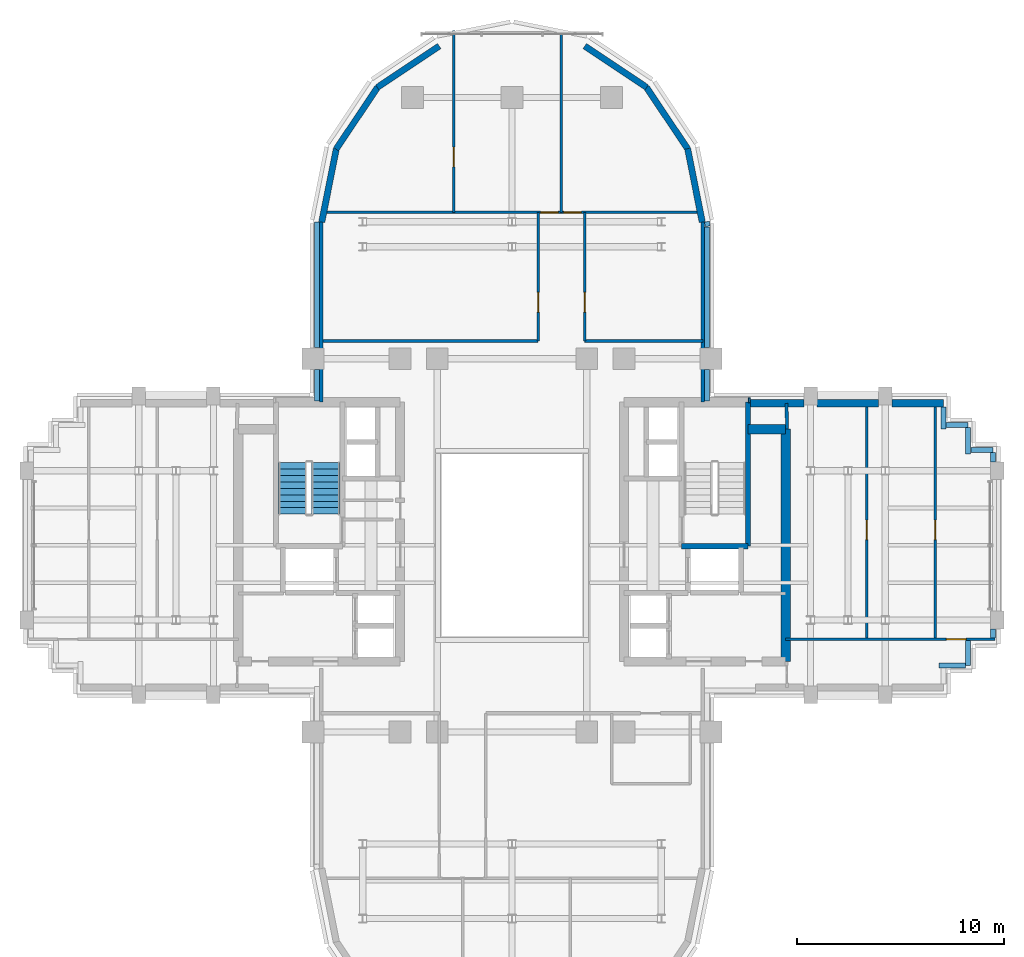
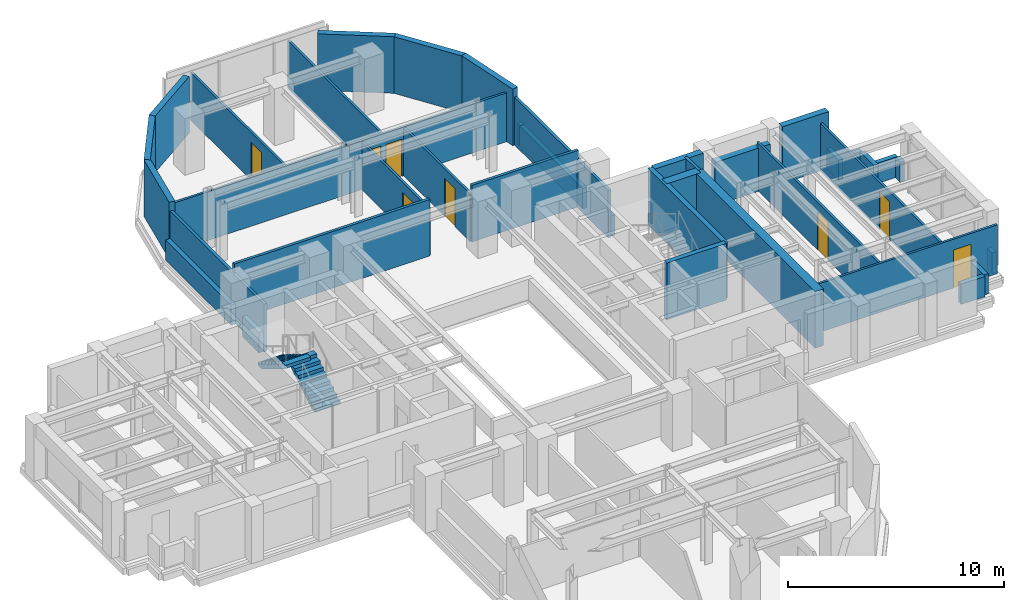
# One storey, part 10 of 14: 40 walls, 8 doors, 2 stair flights, 8 openings, 1 element without a shape of its own.
"""IFC4 building model written with IfcOpenShell, lengths in metres."""

import ifcopenshell
import ifcopenshell.guid

model = None  # the IFC model being written
_history = None  # IfcOwnerHistory: only IFC2X3 demands one
_inside = {}  # id of a spatial element -> (the spatial element, [elements in it])
_under = {}  # id of a project, library or spatial element -> (it, [spatial elements below it])
_declared = {}  # id of a project -> (the project, [libraries it declares])
_typed = {}  # id of a type object -> (the type object, [elements of that type])
_made_of = {}  # id of a material, layer set ... -> (it, [elements and type objects made of it])


def new_model(schema):
    """Start an empty IFC model of exactly this schema.

    Asked for "IFC4X3", IfcOpenShell would pick the latest addendum, in which some entities
    have other attributes; the version numbers below select the first issue.
    IFC2X3 requires an IfcOwnerHistory on every rooted entity: one is made here for all.
    """
    global model, _history
    if schema == "IFC4X3":
        model = ifcopenshell.file(schema_version=(4, 3, 0, 0))
    else:
        model = ifcopenshell.file(schema=schema)
    _inside.clear()
    _under.clear()
    _declared.clear()
    _typed.clear()
    _made_of.clear()
    _history = None
    if model.schema == "IFC2X3":
        org = make("IfcOrganization", Name="unknown")
        user = make(
            "IfcPersonAndOrganization",
            ThePerson=make("IfcPerson", FamilyName="unknown"),
            TheOrganization=org,
        )
        app = make(
            "IfcApplication",
            ApplicationDeveloper=org,
            Version="unknown",
            ApplicationFullName="unknown",
            ApplicationIdentifier="unknown",
        )
        _history = make(
            "IfcOwnerHistory",
            OwningUser=user,
            OwningApplication=app,
            ChangeAction="ADDED",
            CreationDate=0,
        )
    return model


def make(cls, **values):
    """One entity of the class cls with the attributes given. An attribute that is None is left unset."""
    return model.create_entity(
        cls, **{name: value for name, value in values.items() if value is not None}
    )


def rooted(cls, **values):
    """An entity with a GlobalId (a new one), such as an element, a storey or a relation."""
    return make(cls, GlobalId=ifcopenshell.guid.new(), OwnerHistory=_history, **values)


def si_unit(unit_type, name, prefix=None):
    """IfcSIUnit, for example si_unit("LENGTHUNIT", "METRE", prefix="MILLI")."""
    return make("IfcSIUnit", UnitType=unit_type, Prefix=prefix, Name=name)


def assignment(units):
    """IfcUnitAssignment: the units of a project."""
    return None if units is None else make("IfcUnitAssignment", Units=units)


def point(xyz):
    """IfcCartesianPoint."""
    return None if xyz is None else make("IfcCartesianPoint", Coordinates=xyz)


def direction(xyz):
    """IfcDirection."""
    return None if xyz is None else make("IfcDirection", DirectionRatios=xyz)


def frame(location, z_axis=None, x_axis=None):
    """IfcAxis2Placement3D, a coordinate frame: its origin and axes. An axis left out is left unset."""
    return make(
        "IfcAxis2Placement3D",
        Location=point(location),
        Axis=direction(z_axis),
        RefDirection=direction(x_axis),
    )


def frame_2d(location, x_axis=None):
    """IfcAxis2Placement2D, a coordinate frame in the plane: its origin and x axis."""
    return make(
        "IfcAxis2Placement2D", Location=point(location), RefDirection=direction(x_axis)
    )


def origin():
    """The frame at (0, 0, 0) with its axes left unset."""
    return frame((0.0, 0.0, 0.0))


def place(relative_to, where):
    """IfcLocalPlacement: puts the frame where relative to a parent placement (None: the world)."""
    return make(
        "IfcLocalPlacement", PlacementRelTo=relative_to, RelativePlacement=where
    )


def context(
    kind, dimensions, precision=None, world=None, true_north=None, identifier=None
):
    """IfcGeometricRepresentationContext, for example the 3D "Model" context."""
    return make(
        "IfcGeometricRepresentationContext",
        ContextIdentifier=identifier,
        ContextType=kind,
        CoordinateSpaceDimension=dimensions,
        Precision=precision,
        WorldCoordinateSystem=world,
        TrueNorth=true_north,
    )


def subcontext(parent, identifier, kind, view, scale=None):
    """IfcGeometricRepresentationSubContext, for example "Body" below "Model"."""
    return make(
        "IfcGeometricRepresentationSubContext",
        ContextIdentifier=identifier,
        ContextType=kind,
        ParentContext=parent,
        TargetScale=scale,
        TargetView=view,
    )


def project(units=None, contexts=None):
    """IfcProject with its units and contexts."""
    return rooted(
        "IfcProject",
        Name="project",
        RepresentationContexts=contexts,
        UnitsInContext=assignment(units),
    )


def spatial(cls, under=None, at=None, **own):
    """A site, building, storey or space (cls), placed at a placement, below another one or the project."""
    s = rooted(cls, ObjectPlacement=at, **own)
    if under is not None:
        _under.setdefault(under.id(), (under, []))[1].append(s)
    return s


def polyline(points):
    """IfcPolyline through the points."""
    return make("IfcPolyline", Points=[point(p) for p in points])


def profile(cls, at=None, kind="AREA", **sizes):
    """A parametric profile (cls). Its sizes go by their IFC names, for example OverallWidth=200.0."""
    return make(cls, ProfileType=kind, Position=at, **sizes)


def rectangle(**sizes):
    """IfcRectangleProfileDef."""
    return profile("IfcRectangleProfileDef", **sizes)


def outline(outer, holes=None, kind="AREA"):
    """IfcArbitraryClosedProfileDef: a profile drawn as a closed curve; with holes, ...WithVoids."""
    if holes is None:
        return make("IfcArbitraryClosedProfileDef", ProfileType=kind, OuterCurve=outer)
    return make(
        "IfcArbitraryProfileDefWithVoids",
        ProfileType=kind,
        OuterCurve=outer,
        InnerCurves=holes,
    )


def extrude(swept, where, along, depth):
    """IfcExtrudedAreaSolid: the profile swept, set in the frame where, extruded along a direction by depth."""
    return make(
        "IfcExtrudedAreaSolid",
        SweptArea=swept,
        Position=where,
        ExtrudedDirection=direction(along),
        Depth=depth,
    )


def shape(context_of_items, identifier, shape_type, items):
    """IfcShapeRepresentation: the items that make up one representation, for example the "Body"."""
    return make(
        "IfcShapeRepresentation",
        ContextOfItems=context_of_items,
        RepresentationIdentifier=identifier,
        RepresentationType=shape_type,
        Items=items,
    )


def source(mapping_origin, context_of_items, identifier, shape_type, items):
    """IfcRepresentationMap: a shape defined once, which mapped items show again and again."""
    return make(
        "IfcRepresentationMap",
        MappingOrigin=mapping_origin,
        MappedRepresentation=shape(context_of_items, identifier, shape_type, items),
    )


def transform(
    local_origin,
    x_axis=None,
    y_axis=None,
    z_axis=None,
    scale=None,
    scale2=None,
    scale3=None,
    uniform=True,
):
    """IfcCartesianTransformationOperator3D, or its non-uniform kind. x_axis, y_axis, z_axis: its Axis1, 2, 3."""
    if uniform:
        return make(
            "IfcCartesianTransformationOperator3D",
            Axis1=direction(x_axis),
            Axis2=direction(y_axis),
            LocalOrigin=point(local_origin),
            Scale=scale,
            Axis3=direction(z_axis),
        )
    return make(
        "IfcCartesianTransformationOperator3DnonUniform",
        Axis1=direction(x_axis),
        Axis2=direction(y_axis),
        LocalOrigin=point(local_origin),
        Scale=scale,
        Axis3=direction(z_axis),
        Scale2=scale2,
        Scale3=scale3,
    )


def mapped(mapping_source, mapping_target):
    """IfcMappedItem: shows the shape of a source again, moved by a transform."""
    return make(
        "IfcMappedItem", MappingSource=mapping_source, MappingTarget=mapping_target
    )


def material(Name=None, Category=None):
    """IfcMaterial."""
    return make("IfcMaterial", Name=Name, Category=Category)


def layer(
    of_material, thickness, ventilated=None, Name=None, Category=None, Priority=None
):
    """IfcMaterialLayer: one layer of a wall or slab, of a material (None: an air gap)."""
    return make(
        "IfcMaterialLayer",
        Material=of_material,
        LayerThickness=thickness,
        IsVentilated=ventilated,
        Name=Name,
        Category=Category,
        Priority=Priority,
    )


def layer_set(layers, Name=None):
    """IfcMaterialLayerSet."""
    return make("IfcMaterialLayerSet", MaterialLayers=layers, LayerSetName=Name)


def made_of(thing, what):
    """Note that an element or type object is made of a material, layer set ...; save() writes the relation."""
    if what is not None:
        _made_of.setdefault(what.id(), (what, []))[1].append(thing)
    return thing


def type_object(cls, material=None, **own):
    """A type object (cls), such as IfcWallType, which elements share."""
    return made_of(rooted(cls, **own), material)


def element(
    cls,
    number,
    at=None,
    inside=None,
    cuts=None,
    type_object=None,
    material=None,
    context=None,
    identifier="Body",
    shape_type=None,
    held_by="IfcProductDefinitionShape",
    body=None,
    shapes=None,
    **own,
):
    """One element of the class cls, such as IfcWall. Its Tag is "e" and its number.

    at: its placement. inside: the storey or other place that contains it. cuts: it is an
    opening in that element (IfcRelVoidsElement). A single representation is given by context,
    identifier, shape_type and body (its items); several are given by shapes. held_by: the class
    of the entity that holds the representations. save() writes the other relations.
    """
    e = rooted(cls, Tag="e%d" % number, ObjectPlacement=at, **own)
    if body is not None:
        shapes = [shape(context, identifier, shape_type, body)]
    if shapes is not None:
        e.Representation = make(held_by, Representations=shapes)
    if inside is not None:
        _inside.setdefault(inside.id(), (inside, []))[1].append(e)
    if cuts is not None:
        rooted(
            "IfcRelVoidsElement", RelatingBuildingElement=cuts, RelatedOpeningElement=e
        )
    if type_object is not None:
        _typed.setdefault(type_object.id(), (type_object, []))[1].append(e)
    return made_of(e, material)


def fill(opening, filler):
    """IfcRelFillsElement: the door or window that sits in an opening."""
    return rooted(
        "IfcRelFillsElement",
        RelatingOpeningElement=opening,
        RelatedBuildingElement=filler,
    )


def aggregate(whole, parts):
    """IfcRelAggregates: a whole, such as a stair, and the parts it consists of."""
    return rooted("IfcRelAggregates", RelatingObject=whole, RelatedObjects=parts)


def save(model, path):
    """Write the relations noted so far, then the file.

    IfcRelAggregates (storeys below a building ...), IfcRelContainedInSpatialStructure (elements
    in a storey), IfcRelDefinesByType, IfcRelAssociatesMaterial and IfcRelDeclares: one each for
    every whole, place, type object, material and project.
    """
    for whole, parts in _under.values():
        aggregate(whole, parts)
    for where, things in _inside.values():
        rooted(
            "IfcRelContainedInSpatialStructure",
            RelatedElements=things,
            RelatingStructure=where,
        )
    for kind, things in _typed.values():
        rooted("IfcRelDefinesByType", RelatedObjects=things, RelatingType=kind)
    for what, things in _made_of.values():
        rooted("IfcRelAssociatesMaterial", RelatedObjects=things, RelatingMaterial=what)
    for by, libraries in _declared.values():
        rooted("IfcRelDeclares", RelatingContext=by, RelatedDefinitions=libraries)
    model.write(path)


model = new_model("IFC4")

# Units and contexts
model_context = context("Model", 3, precision=1e-05, world=origin(), true_north=direction((0.0, 1.0)))
body_context = subcontext(model_context, "Body", "Model", "MODEL_VIEW")
ifc_project = project(units=[si_unit("LENGTHUNIT", "METRE"), si_unit("AREAUNIT", "SQUARE_METRE"), si_unit("VOLUMEUNIT", "CUBIC_METRE"), si_unit("PLANEANGLEUNIT", "RADIAN"), si_unit("MASSUNIT", "GRAM", prefix="KILO")], contexts=[model_context])

# Site, building, storey
site_placement = place(None, origin())
site = spatial("IfcSite", under=ifc_project, at=site_placement, CompositionType="ELEMENT")
building_placement = place(site_placement, origin())
building = spatial("IfcBuilding", under=site, at=building_placement, Name="Keilestroom Media Tower", CompositionType="ELEMENT")
storey_placement = place(building_placement, frame((0.0, 0.0, 117.60009765625)))
storey = spatial("IfcBuildingStorey", under=building, at=storey_placement, Name="L31", CompositionType="ELEMENT", Elevation=117.60009765625)

# Walls
ifc_material_1 = material(Name="Precast concrete C40/50", Category="concrete")
ifc_layer_1 = layer(ifc_material_1, 0.300048828125)
ifc_layer_set_1 = layer_set([ifc_layer_1], Name="Precast concrete C40/50")
wall_type_1 = type_object("IfcWallType", Name="Exterior-Masonry-Spandrel-Wall-300", PredefinedType="SOLIDWALL", material=ifc_layer_set_1)
for number, where, z_axis, x_axis, name in (
    (1, (9.1748046875, 15.585205078125, 0.0), (0.0, 0.0, 1.0), (-0.195114232679, 0.980780523974, 0.0), "L31 Lobe Facet Precast Frame Wall 01"),
    (2, (8.48193359375, 19.097412109375, 0.0), (0.0, 0.0, 1.0), (-0.555574187116, 0.831466970246, 0.0), "L31 Lobe Facet Precast Frame Wall 02"),
):
    element("IfcWall", number, at=place(storey_placement, frame(where, z_axis=z_axis, x_axis=x_axis)), inside=storey, type_object=wall_type_1, Name=name, PredefinedType="SOLIDWALL", context=body_context, shape_type="SweptSolid", body=[
        extrude(rectangle(XDim=3.608642578125, YDim=0.300048828125, at=frame_2d((1.80419921875, 0.0))), origin(), (0.0, 0.0, 1.0), 3.199951171875),
    ])
for number, where, z_axis, x_axis, name in (
    (3, (6.497802734375, 22.0771484375, 0.0), (0.0, 0.0, 1.0), (-0.8314749531, 0.555562239868, 0.0), "L31 Lobe Facet Precast Frame Wall 03"),
    (4, (-3.510009765625, 24.073486328125, 0.0), (0.0, 0.0, 1.0), (-0.8314749531, -0.555562239868, 0.0), "L31 Lobe Facet Precast Frame Wall 04"),
):
    element("IfcWall", number, at=place(storey_placement, frame(where, z_axis=z_axis, x_axis=x_axis)), inside=storey, type_object=wall_type_1, Name=name, PredefinedType="SOLIDWALL", context=body_context, shape_type="SweptSolid", body=[
        extrude(rectangle(XDim=3.59326171875, YDim=0.300048828125, at=frame_2d((1.796630859375, 0.0))), origin(), (0.0, 0.0, 1.0), 3.199951171875),
    ])
for number, where, z_axis, x_axis, name in (
    (5, (-6.47705078125, 22.097900390625, 0.0), (0.0, 0.0, 1.0), (-0.555574187116, -0.831466970246, 0.0), "L31 Lobe Facet Precast Frame Wall 05"),
    (6, (-8.470703125, 19.12451171875, 0.0), (0.0, 0.0, 1.0), (-0.195114232679, -0.980780523974, 0.0), "L31 Lobe Facet Precast Frame Wall 06"),
):
    element("IfcWall", number, at=place(storey_placement, frame(where, z_axis=z_axis, x_axis=x_axis)), inside=storey, type_object=wall_type_1, Name=name, PredefinedType="SOLIDWALL", context=body_context, shape_type="SweptSolid", body=[
        extrude(rectangle(XDim=3.608642578125, YDim=0.300048828125, at=frame_2d((1.80419921875, 0.0))), origin(), (0.0, 0.0, 1.0), 3.199951171875),
    ])
ifc_layer_2 = layer(ifc_material_1, 0.340087890625)
ifc_layer_set_2 = layer_set([ifc_layer_2], Name="Precast concrete C40/50")
wall_type_2 = type_object("IfcWallType", Name="Exterior-Masonry-Spandrel-Wall-340", PredefinedType="SOLIDWALL", material=ifc_layer_set_2)
wall_1_placement = place(storey_placement, frame((11.498046875, 6.85009765625, 0.0), z_axis=(0.0, 0.0, 1.0), x_axis=(1.0, 0.0, 0.0)))
element("IfcWall", 7, at=wall_1_placement, inside=storey, type_object=wall_type_2, Name="L31 Flank Masonry Wall EWL-L31-NE-1", PredefinedType="SOLIDWALL", context=body_context, shape_type="SweptSolid", body=[
    extrude(rectangle(XDim=2.5849609375, YDim=0.340087890625, at=frame_2d((1.29248046875, 0.0))), origin(), (0.0, 0.0, 1.0), 3.199951171875),
])
wall_2_placement = place(storey_placement, frame((14.717041015625, 6.85009765625, 0.0), z_axis=(0.0, 0.0, 1.0), x_axis=(1.0, 0.0, 0.0)))
element("IfcWall", 8, at=wall_2_placement, inside=storey, type_object=wall_type_2, Name="L31 Flank Masonry Wall EWL-L31-NE-2", PredefinedType="SOLIDWALL", context=body_context, shape_type="SweptSolid", body=[
    extrude(rectangle(XDim=2.966064453125, YDim=0.340087890625, at=frame_2d((1.48291015625, 0.0))), origin(), (0.0, 0.0, 1.0), 2.449951171875),
])
wall_3_placement = place(storey_placement, frame((18.31689453125, 6.85009765625, 0.0), z_axis=(0.0, 0.0, 1.0), x_axis=(1.0, 0.0, 0.0)))
element("IfcWall", 9, at=wall_3_placement, inside=storey, type_object=wall_type_2, Name="L31 Flank Masonry Wall EWL-L31-NE-3", PredefinedType="SOLIDWALL", context=body_context, shape_type="SweptSolid", body=[
    extrude(rectangle(XDim=2.483154296875, YDim=0.340087890625, at=frame_2d((1.24169921875, 0.0))), origin(), (0.0, 0.0, 1.0), 3.199951171875),
])

# Wall, opening, door
ifc_material_2 = material(Name="Gypsum Plasterboard & Steel Stud", Category="steel")
ifc_layer_3 = layer(ifc_material_2, 0.1201171875)
ifc_layer_set_3 = layer_set([ifc_layer_3], Name="Gypsum Plasterboard & Steel Stud")
wall_type_3 = type_object("IfcWallType", Name="Interior-Partition-Wall-120", PredefinedType="PARTITIONING", material=ifc_layer_set_3)
wall_4_placement = place(storey_placement, frame((1.260009765625, 9.85009765625, 0.0), z_axis=(0.0, 0.0, 1.0), x_axis=(0.0, 1.0, 0.0)))
wall_4 = element("IfcWall", 10, at=wall_4_placement, inside=storey, type_object=wall_type_3, Name="L31 Interior Wall WP-L31-NL-SPW", PredefinedType="PARTITIONING", context=body_context, shape_type="SweptSolid", body=[
    extrude(rectangle(XDim=6.199951171875, YDim=0.1201171875, at=frame_2d((3.10009765625, 0.0))), origin(), (0.0, 0.0, 1.0), 2.699951171875),
])
opening_1_placement = place(wall_4_placement, frame((1.39990234375, 0.0, 0.0)))
opening_1 = element("IfcOpeningElement", 11, at=opening_1_placement, cuts=wall_4, Name="Opening DI-03", PredefinedType="OPENING", context=body_context, shape_type="SweptSolid", body=[
    extrude(rectangle(XDim=0.949951171875, YDim=2.14990234375, at=frame_2d((0.47509765625, 1.074951171875))), frame((0.0, 0.070068359375, 0.0), z_axis=(0.0, -1.0, 0.0), x_axis=(1.0, 0.0, 0.0)), (0.0, 0.0, 1.0), 0.14013671875),
])
ifc_material_3 = material(Name="Lacquered European Oak Leaf", Category="wood")
door_type_1 = type_object("IfcDoorType", Name="Interior-Room-And-Suite-Door-DI-03", OperationType="NOTDEFINED", PredefinedType="DOOR", material=ifc_material_3)
shared_shape_1 = source(origin(), body_context, "Body", "SweptSolid", [
    extrude(rectangle(XDim=0.949951171875, YDim=2.14990234375, at=frame_2d((0.47509765625, 1.074951171875))), frame((0.0, 0.02490234375, 0.0), z_axis=(0.0, -1.0, 0.0), x_axis=(1.0, 0.0, 0.0)), (0.0, 0.0, 1.0), 0.050048828125),
])
door_1_placement = place(opening_1_placement, origin())
door_1 = element("IfcDoor", 12, at=door_1_placement, inside=storey, type_object=door_type_1, Name="L31 Interior Door DI-L31-DNL-W1", OperationType="SINGLE_SWING_RIGHT", OverallHeight=2.14990234375, OverallWidth=0.949951171875, PredefinedType="DOOR", context=body_context, shape_type="MappedRepresentation", body=[
    mapped(shared_shape_1, transform((0.0, 0.0, 0.0), x_axis=(1.0, 0.0, 0.0), y_axis=(0.0, 1.0, 0.0), z_axis=(0.0, 0.0, 1.0), scale=1.0)),
])
fill(opening_1, door_1)

wall_5_placement = place(storey_placement, frame((3.5, 9.85009765625, 0.0), z_axis=(0.0, 0.0, 1.0), x_axis=(0.0, 1.0, 0.0)))
wall_5 = element("IfcWall", 13, at=wall_5_placement, inside=storey, type_object=wall_type_3, Name="L31 Interior Wall WP-L31-NL-SPE", PredefinedType="PARTITIONING", context=body_context, shape_type="SweptSolid", body=[
    extrude(rectangle(XDim=6.199951171875, YDim=0.1201171875, at=frame_2d((3.10009765625, 0.0))), origin(), (0.0, 0.0, 1.0), 2.699951171875),
])
opening_2_placement = place(wall_5_placement, frame((1.39990234375, 0.0, 0.0)))
opening_2 = element("IfcOpeningElement", 14, at=opening_2_placement, cuts=wall_5, Name="Opening DI-03", PredefinedType="OPENING", context=body_context, shape_type="SweptSolid", body=[
    extrude(rectangle(XDim=0.949951171875, YDim=2.14990234375, at=frame_2d((0.47509765625, 1.074951171875))), frame((0.0, 0.070068359375, 0.0), z_axis=(0.0, -1.0, 0.0), x_axis=(1.0, 0.0, 0.0)), (0.0, 0.0, 1.0), 0.14013671875),
])
door_2_placement = place(opening_2_placement, origin())
door_2 = element("IfcDoor", 15, at=door_2_placement, inside=storey, type_object=door_type_1, Name="L31 Interior Door DI-L31-DNL-E1", OperationType="SINGLE_SWING_LEFT", OverallHeight=2.14990234375, OverallWidth=0.949951171875, PredefinedType="DOOR", context=body_context, shape_type="MappedRepresentation", body=[
    mapped(shared_shape_1, transform((0.0, 0.0, 0.0), x_axis=(1.0, 0.0, 0.0), y_axis=(0.0, 1.0, 0.0), z_axis=(0.0, 0.0, 1.0), scale=1.0)),
])
fill(opening_2, door_2)

# Wall, openings, doors
wall_6_placement = place(storey_placement, frame((-9.159912109375, 16.050048828125, 0.0), z_axis=(0.0, 0.0, 1.0), x_axis=(1.0, 0.0, 0.0)))
wall_6 = element("IfcWall", 16, at=wall_6_placement, inside=storey, type_object=wall_type_3, Name="L31 Interior Wall WP-L31-NL-NTIPW", PredefinedType="PARTITIONING", context=body_context, shape_type="SweptSolid", body=[
    extrude(rectangle(XDim=18.31982421875, YDim=0.1201171875, at=frame_2d((9.159912109375, 0.0))), origin(), (0.0, 0.0, 1.0), 2.760009765625),
])
opening_3_placement = place(wall_6_placement, frame((10.5400390625, 0.0, 0.0)))
opening_3 = element("IfcOpeningElement", 17, at=opening_3_placement, cuts=wall_6, Name="Opening DI-05", PredefinedType="OPENING", context=body_context, shape_type="SweptSolid", body=[
    extrude(rectangle(XDim=0.85009765625, YDim=2.10009765625, at=frame_2d((0.425048828125, 1.050048828125))), frame((0.0, 0.070068359375, 0.0), z_axis=(0.0, -1.0, 0.0), x_axis=(1.0, 0.0, 0.0)), (0.0, 0.0, 1.0), 0.14013671875),
])
opening_4_placement = place(wall_6_placement, frame((11.659912109375, 0.0, 0.0)))
opening_4 = element("IfcOpeningElement", 18, at=opening_4_placement, cuts=wall_6, Name="Opening DI-05", PredefinedType="OPENING", context=body_context, shape_type="SweptSolid", body=[
    extrude(rectangle(XDim=0.85009765625, YDim=2.10009765625, at=frame_2d((0.425048828125, 1.050048828125))), frame((0.0, 0.070068359375, 0.0), z_axis=(0.0, -1.0, 0.0), x_axis=(1.0, 0.0, 0.0)), (0.0, 0.0, 1.0), 0.14013671875),
])
ifc_material_4 = material(Name="Moisture-Resistant Oak Leaf", Category="wood")
door_type_2 = type_object("IfcDoorType", Name="Interior-En-Suite-And-Cupboard-Door-DI-05", OperationType="NOTDEFINED", PredefinedType="DOOR", material=ifc_material_4)
shared_shape_2 = source(origin(), body_context, "Body", "SweptSolid", [
    extrude(rectangle(XDim=0.85009765625, YDim=2.10009765625, at=frame_2d((0.425048828125, 1.050048828125))), frame((0.0, 0.02490234375, 0.0), z_axis=(0.0, -1.0, 0.0), x_axis=(1.0, 0.0, 0.0)), (0.0, 0.0, 1.0), 0.050048828125),
])
door_3_placement = place(opening_3_placement, origin())
door_3 = element("IfcDoor", 19, at=door_3_placement, inside=storey, type_object=door_type_2, Name="L31 Interior Door DI-L31-DNL-TIP2", OperationType="SINGLE_SWING_LEFT", OverallHeight=2.10009765625, OverallWidth=0.85009765625, PredefinedType="DOOR", context=body_context, shape_type="MappedRepresentation", body=[
    mapped(shared_shape_2, transform((0.0, 0.0, 0.0), x_axis=(1.0, 0.0, 0.0), y_axis=(0.0, 1.0, 0.0), z_axis=(0.0, 0.0, 1.0), scale=1.0)),
])
fill(opening_3, door_3)
door_4_placement = place(opening_4_placement, origin())
door_4 = element("IfcDoor", 20, at=door_4_placement, inside=storey, type_object=door_type_2, Name="L31 Interior Door DI-L31-DNL-TIP3", OperationType="SINGLE_SWING_RIGHT", OverallHeight=2.10009765625, OverallWidth=0.85009765625, PredefinedType="DOOR", context=body_context, shape_type="MappedRepresentation", body=[
    mapped(shared_shape_2, transform((0.0, 0.0, 0.0), x_axis=(1.0, 0.0, 0.0), y_axis=(0.0, 1.0, 0.0), z_axis=(0.0, 0.0, 1.0), scale=1.0)),
])
fill(opening_4, door_4)

# Wall, opening, door
wall_7_placement = place(storey_placement, frame((-2.800048828125, 16.050048828125, 0.0), z_axis=(0.0, 0.0, 1.0), x_axis=(0.0, 1.0, 0.0)))
wall_7 = element("IfcWall", 21, at=wall_7_placement, inside=storey, type_object=wall_type_3, Name="L31 Interior Wall WP-L31-NL-TV1", PredefinedType="PARTITIONING", context=body_context, shape_type="SweptSolid", body=[
    extrude(rectangle(XDim=8.77001953125, YDim=0.1201171875, at=frame_2d((4.385009765625, 0.0))), origin(), (0.0, 0.0, 1.0), 2.699951171875),
])
opening_5_placement = place(wall_7_placement, frame((2.199951171875, 0.0, 0.0)))
opening_5 = element("IfcOpeningElement", 22, at=opening_5_placement, cuts=wall_7, Name="Opening DI-03", PredefinedType="OPENING", context=body_context, shape_type="SweptSolid", body=[
    extrude(rectangle(XDim=0.949951171875, YDim=2.14990234375, at=frame_2d((0.47509765625, 1.074951171875))), frame((0.0, 0.070068359375, 0.0), z_axis=(0.0, -1.0, 0.0), x_axis=(1.0, 0.0, 0.0)), (0.0, 0.0, 1.0), 0.14013671875),
])
door_5_placement = place(opening_5_placement, origin())
door_5 = element("IfcDoor", 23, at=door_5_placement, inside=storey, type_object=door_type_1, Name="L31 Interior Door DI-L31-DNL-TIP1", OperationType="SINGLE_SWING_LEFT", OverallHeight=2.14990234375, OverallWidth=0.949951171875, PredefinedType="DOOR", context=body_context, shape_type="MappedRepresentation", body=[
    mapped(shared_shape_1, transform((0.0, 0.0, 0.0), x_axis=(1.0, 0.0, 0.0), y_axis=(0.0, 1.0, 0.0), z_axis=(0.0, 0.0, 1.0), scale=1.0)),
])
fill(opening_5, door_5)

# Wall
wall_8_placement = place(storey_placement, frame((2.3798828125, 16.050048828125, 0.0), z_axis=(0.0, 0.0, 1.0), x_axis=(0.0, 1.0, 0.0)))
element("IfcWall", 24, at=wall_8_placement, inside=storey, type_object=wall_type_3, Name="L31 Interior Wall WP-L31-NL-TV2", PredefinedType="PARTITIONING", context=body_context, shape_type="SweptSolid", body=[
    extrude(rectangle(XDim=8.77001953125, YDim=0.1201171875, at=frame_2d((4.385009765625, 0.0))), origin(), (0.0, 0.0, 1.0), 2.699951171875),
])

# Wall, opening, door
wall_9_placement = place(storey_placement, frame((13.199951171875, -4.530029296875, 0.0), z_axis=(0.0, 0.0, 1.0), x_axis=(1.0, 0.0, 0.0)))
wall_9 = element("IfcWall", 25, at=wall_9_placement, inside=storey, type_object=wall_type_3, Name="L31 Interior Wall WP-L31-EA-CN", PredefinedType="PARTITIONING", context=body_context, shape_type="SweptSolid", body=[
    extrude(rectangle(XDim=10.10009765625, YDim=0.1201171875, at=frame_2d((5.050048828125, 0.0))), origin(), (0.0, 0.0, 1.0), 2.760009765625),
])
opening_6_placement = place(wall_9_placement, frame((7.75, 0.0, 0.0)))
opening_6 = element("IfcOpeningElement", 26, at=opening_6_placement, cuts=wall_9, Name="Opening DI-03", PredefinedType="OPENING", context=body_context, shape_type="SweptSolid", body=[
    extrude(rectangle(XDim=0.949951171875, YDim=2.14990234375, at=frame_2d((0.47509765625, 1.074951171875))), frame((0.0, 0.070068359375, 0.0), z_axis=(0.0, -1.0, 0.0), x_axis=(1.0, 0.0, 0.0)), (0.0, 0.0, 1.0), 0.14013671875),
])
door_6_placement = place(opening_6_placement, origin())
door_6 = element("IfcDoor", 27, at=door_6_placement, inside=storey, type_object=door_type_1, Name="L31 Interior Door DI-L31-DEA-RN3", OperationType="SINGLE_SWING_LEFT", OverallHeight=2.14990234375, OverallWidth=0.949951171875, PredefinedType="DOOR", context=body_context, shape_type="MappedRepresentation", body=[
    mapped(shared_shape_1, transform((0.0, 0.0, 0.0), x_axis=(1.0, 0.0, 0.0), y_axis=(0.0, 1.0, 0.0), z_axis=(0.0, 0.0, 1.0), scale=1.0)),
])
fill(opening_6, door_6)

wall_10_placement = place(storey_placement, frame((17.10009765625, -4.530029296875, 0.0), z_axis=(0.0, 0.0, 1.0), x_axis=(0.0, 1.0, 0.0)))
wall_10 = element("IfcWall", 28, at=wall_10_placement, inside=storey, type_object=wall_type_3, Name="L31 Interior Wall WP-L31-EA-VM1", PredefinedType="PARTITIONING", context=body_context, shape_type="SweptSolid", body=[
    extrude(rectangle(XDim=11.380126953125, YDim=0.1201171875, at=frame_2d((5.68994140625, 0.0))), origin(), (0.0, 0.0, 1.0), 2.699951171875),
])
opening_7_placement = place(wall_10_placement, frame((4.800048828125, 0.0, 0.0)))
opening_7 = element("IfcOpeningElement", 29, at=opening_7_placement, cuts=wall_10, Name="Opening DI-03", PredefinedType="OPENING", context=body_context, shape_type="SweptSolid", body=[
    extrude(rectangle(XDim=0.949951171875, YDim=2.14990234375, at=frame_2d((0.47509765625, 1.074951171875))), frame((0.0, 0.070068359375, 0.0), z_axis=(0.0, -1.0, 0.0), x_axis=(1.0, 0.0, 0.0)), (0.0, 0.0, 1.0), 0.14013671875),
])
door_7_placement = place(opening_7_placement, origin())
door_7 = element("IfcDoor", 30, at=door_7_placement, inside=storey, type_object=door_type_1, Name="L31 Interior Door DI-L31-DEA-RN1", OperationType="SINGLE_SWING_LEFT", OverallHeight=2.14990234375, OverallWidth=0.949951171875, PredefinedType="DOOR", context=body_context, shape_type="MappedRepresentation", body=[
    mapped(shared_shape_1, transform((0.0, 0.0, 0.0), x_axis=(1.0, 0.0, 0.0), y_axis=(0.0, 1.0, 0.0), z_axis=(0.0, 0.0, 1.0), scale=1.0)),
])
fill(opening_7, door_7)

wall_11_placement = place(storey_placement, frame((20.39990234375, -4.530029296875, 0.0), z_axis=(0.0, 0.0, 1.0), x_axis=(0.0, 1.0, 0.0)))
wall_11 = element("IfcWall", 31, at=wall_11_placement, inside=storey, type_object=wall_type_3, Name="L31 Interior Wall WP-L31-EA-VM2", PredefinedType="PARTITIONING", context=body_context, shape_type="SweptSolid", body=[
    extrude(rectangle(XDim=11.380126953125, YDim=0.1201171875, at=frame_2d((5.68994140625, 0.0))), origin(), (0.0, 0.0, 1.0), 2.699951171875),
])
opening_8_placement = place(wall_11_placement, frame((4.800048828125, 0.0, 0.0)))
opening_8 = element("IfcOpeningElement", 32, at=opening_8_placement, cuts=wall_11, Name="Opening DI-03", PredefinedType="OPENING", context=body_context, shape_type="SweptSolid", body=[
    extrude(rectangle(XDim=0.949951171875, YDim=2.14990234375, at=frame_2d((0.47509765625, 1.074951171875))), frame((0.0, 0.070068359375, 0.0), z_axis=(0.0, -1.0, 0.0), x_axis=(1.0, 0.0, 0.0)), (0.0, 0.0, 1.0), 0.14013671875),
])
door_8_placement = place(opening_8_placement, origin())
door_8 = element("IfcDoor", 33, at=door_8_placement, inside=storey, type_object=door_type_1, Name="L31 Interior Door DI-L31-DEA-RN2", OperationType="SINGLE_SWING_RIGHT", OverallHeight=2.14990234375, OverallWidth=0.949951171875, PredefinedType="DOOR", context=body_context, shape_type="MappedRepresentation", body=[
    mapped(shared_shape_1, transform((0.0, 0.0, 0.0), x_axis=(1.0, 0.0, 0.0), y_axis=(0.0, 1.0, 0.0), z_axis=(0.0, 0.0, 1.0), scale=1.0)),
])
fill(opening_8, door_8)

# Walls
ifc_layer_4 = layer(ifc_material_2, 0.14990234375)
ifc_layer_set_4 = layer_set([ifc_layer_4], Name="Gypsum Plasterboard & Steel Stud")
wall_type_4 = type_object("IfcWallType", Name="Interior-Partition-Wall-150", PredefinedType="PARTITIONING", material=ifc_layer_set_4)
for number, where, z_axis, x_axis, name in (
    (34, (-9.199951171875, 6.89990234375, 0.0), (0.0, 0.0, 1.0), (0.0, 1.0, 0.0), "L31 Interior Wall WP-L31-NL-CHKW"),
    (35, (9.199951171875, 6.89990234375, 0.0), (0.0, 0.0, 1.0), (0.0, 1.0, 0.0), "L31 Interior Wall WP-L31-NL-CHKE"),
):
    element("IfcWall", number, at=place(storey_placement, frame(where, z_axis=z_axis, x_axis=x_axis)), inside=storey, type_object=wall_type_4, Name=name, PredefinedType="PARTITIONING", context=body_context, shape_type="SweptSolid", body=[
        extrude(rectangle(XDim=8.780029296875, YDim=0.14990234375, at=frame_2d((4.39013671875, 0.0))), origin(), (0.0, 0.0, 1.0), 2.699951171875),
    ])
wall_12_placement = place(storey_placement, frame((-9.199951171875, 9.85009765625, 0.0), z_axis=(0.0, 0.0, 1.0), x_axis=(1.0, 0.0, 0.0)))
element("IfcWall", 36, at=wall_12_placement, inside=storey, type_object=wall_type_4, Name="L31 Interior Wall WP-L31-NL-BASE-W", PredefinedType="PARTITIONING", context=body_context, shape_type="SweptSolid", body=[
    extrude(rectangle(XDim=10.4599609375, YDim=0.14990234375, at=frame_2d((5.22998046875, 0.0))), origin(), (0.0, 0.0, 1.0), 3.199951171875),
])
wall_13_placement = place(storey_placement, frame((3.5, 9.85009765625, 0.0), z_axis=(0.0, 0.0, 1.0), x_axis=(1.0, 0.0, 0.0)))
element("IfcWall", 37, at=wall_13_placement, inside=storey, type_object=wall_type_4, Name="L31 Interior Wall WP-L31-NL-BASE-E", PredefinedType="PARTITIONING", context=body_context, shape_type="SweptSolid", body=[
    extrude(rectangle(XDim=5.699951171875, YDim=0.14990234375, at=frame_2d((2.85009765625, 0.0))), origin(), (0.0, 0.0, 1.0), 3.199951171875),
])
wall_14_placement = place(storey_placement, frame((13.260009765625, 5.60009765625, 0.0), z_axis=(0.0, 0.0, 1.0), x_axis=(-0.016013571389, 0.999871774545, 0.0)))
element("IfcWall", 38, at=wall_14_placement, inside=storey, type_object=wall_type_4, Name="L31 Interior Wall WP-L31-EA-ENTN", PredefinedType="PARTITIONING", context=body_context, shape_type="SweptSolid", body=[
    extrude(rectangle(XDim=1.250244140625, YDim=0.14990234375, at=frame_2d((0.625, 0.0))), origin(), (0.0, 0.0, 1.0), 3.199951171875),
])
ifc_material_5 = material(Name="Concrete C55/67", Category="concrete")
ifc_layer_5 = layer(ifc_material_5, 0.449951171875)
ifc_layer_set_5 = layer_set([ifc_layer_5], Name="Concrete C55/67")
wall_type_5 = type_object("IfcWallType", Name="Reinforced-Concrete-Core-Shear-Wall-450", PredefinedType="SHEAR", material=ifc_layer_set_5)
wall_15_placement = place(storey_placement, frame((13.199951171875, -5.60009765625, 0.0), z_axis=(0.0, 0.0, 1.0), x_axis=(0.0, 1.0, 0.0)))
element("IfcWall", 39, at=wall_15_placement, inside=storey, type_object=wall_type_5, Name="L31 Core Shear Wall WL-L31-CORE-E-OUT", PredefinedType="SHEAR", context=body_context, shape_type="SweptSolid", body=[
    extrude(rectangle(XDim=11.2001953125, YDim=0.449951171875, at=frame_2d((5.60009765625, 0.0))), origin(), (0.0, 0.0, 1.0), 3.199951171875),
])
wall_16_placement = place(storey_placement, frame((11.381103515625, 5.60009765625, 0.0), z_axis=(0.0, 0.0, 1.0), x_axis=(1.0, 0.0, 0.0)))
element("IfcWall", 40, at=wall_16_placement, inside=storey, type_object=wall_type_5, Name="L31 Core Shear Wall WL-L31-CNE-N", PredefinedType="SHEAR", context=body_context, shape_type="SweptSolid", body=[
    extrude(rectangle(XDim=1.81884765625, YDim=0.449951171875, at=frame_2d((0.909423828125, 0.0))), origin(), (0.0, 0.0, 1.0), 3.199951171875),
])
ifc_material_6 = material(Name="Concrete C50/60", Category="concrete")
ifc_layer_6 = layer(ifc_material_6, 0.25)
ifc_layer_set_6 = layer_set([ifc_layer_6], Name="Concrete C50/60")
wall_type_6 = type_object("IfcWallType", Name="Reinforced-Concrete-Shaft-Wall-250", PredefinedType="SOLIDWALL", material=ifc_layer_set_6)
wall_17_placement = place(storey_placement, frame((11.381103515625, -0.041015625, 0.0), z_axis=(0.0, 0.0, 1.0), x_axis=(0.0, 1.0, 0.0)))
element("IfcWall", 41, at=wall_17_placement, inside=storey, type_object=wall_type_6, Name="L31 Core Shear Wall WL-L31-STW-E-FAR", PredefinedType="SOLIDWALL", context=body_context, shape_type="SweptSolid", body=[
    extrude(rectangle(XDim=6.94091796875, YDim=0.25, at=frame_2d((3.470458984375, 0.0))), origin(), (0.0, 0.0, 1.0), 3.199951171875),
])
wall_18_placement = place(storey_placement, frame((8.178955078125, -0.041015625, 0.0), z_axis=(0.0, 0.0, 1.0), x_axis=(1.0, 0.0, 0.0)))
element("IfcWall", 42, at=wall_18_placement, inside=storey, type_object=wall_type_6, Name="L31 Core Shear Wall WL-L31-STW-E-S", PredefinedType="SOLIDWALL", context=body_context, shape_type="SweptSolid", body=[
    extrude(rectangle(XDim=3.2021484375, YDim=0.25, at=frame_2d((1.60107421875, 0.0))), origin(), (0.0, 0.0, 1.0), 3.199951171875),
])
ifc_layer_7 = layer(ifc_material_1, 0.239990234375)
ifc_layer_set_7 = layer_set([ifc_layer_7], Name="Precast concrete C40/50")
wall_type_7 = type_object("IfcWallType", Name="Roof-And-Terrace-Parapet-Wall-240", PredefinedType="PARAPET", material=ifc_layer_set_7)
wall_19_placement = place(storey_placement, frame((22.0, -4.593017578125, 0.0), z_axis=(0.0, 0.0, 1.0), x_axis=(0.0, -1.0, 0.0)))
element("IfcWall", 43, at=wall_19_placement, inside=storey, type_object=wall_type_7, Name="L31 Perimeter Edge Parapet Wall 01", PredefinedType="PARAPET", context=body_context, shape_type="SweptSolid", body=[
    extrude(rectangle(XDim=1.20703125, YDim=0.239990234375, at=frame_2d((0.603515625, 0.0))), origin(), (0.0, 0.0, 1.0), 1.14990234375),
])
wall_20_placement = place(storey_placement, frame((21.876953125, -5.800048828125, 0.0), z_axis=(0.0, 0.0, 1.0), x_axis=(-1.0, 0.0, 0.0)))
element("IfcWall", 44, at=wall_20_placement, inside=storey, type_object=wall_type_7, Name="L31 Perimeter Edge Parapet Wall 02", PredefinedType="PARAPET", context=body_context, shape_type="SweptSolid", body=[
    extrude(rectangle(XDim=1.27685546875, YDim=0.239990234375, at=frame_2d((0.638427734375, 0.0))), origin(), (0.0, 0.0, 1.0), 1.14990234375),
])
wall_21_placement = place(storey_placement, frame((-9.39990234375, 6.952880859375, 0.0), z_axis=(0.0, 0.0, 1.0), x_axis=(0.0, 1.0, 0.0)))
element("IfcWall", 45, at=wall_21_placement, inside=storey, type_object=wall_type_7, Name="L31 Perimeter Edge Parapet Wall 21", PredefinedType="PARAPET", context=body_context, shape_type="SweptSolid", body=[
    extrude(rectangle(XDim=1.51904296875, YDim=0.239990234375, at=frame_2d((0.759521484375, 0.0))), origin(), (0.0, 0.0, 1.0), 1.14990234375),
])
wall_22_placement = place(storey_placement, frame((-9.39990234375, 9.528076171875, 0.0), z_axis=(0.0, 0.0, 1.0), x_axis=(0.0, 1.0, 0.0)))
element("IfcWall", 46, at=wall_22_placement, inside=storey, type_object=wall_type_7, Name="L31 Perimeter Edge Parapet Wall 22", PredefinedType="PARAPET", context=body_context, shape_type="SweptSolid", body=[
    extrude(rectangle(XDim=6.07470703125, YDim=0.239990234375, at=frame_2d((3.037353515625, 0.0))), origin(), (0.0, 0.0, 1.0), 1.14990234375),
])
wall_23_placement = place(storey_placement, frame((9.395263671875, 15.604248046875, 0.0), z_axis=(0.0, 0.0, 1.0), x_axis=(0.194652052864, -0.980872355771, 0.0)))
element("IfcWall", 47, at=wall_23_placement, inside=storey, type_object=wall_type_7, Name="L31 Perimeter Edge Parapet Wall 23", PredefinedType="PARAPET", context=body_context, shape_type="SweptSolid", body=[
    extrude(rectangle(XDim=0.224609375, YDim=0.239990234375, at=frame_2d((0.1123046875, 0.0))), origin(), (0.0, 0.0, 1.0), 1.14990234375),
])
wall_24_placement = place(storey_placement, frame((9.39990234375, 15.357666015625, 0.0), z_axis=(0.0, 0.0, 1.0), x_axis=(0.0, -1.0, 0.0)))
element("IfcWall", 48, at=wall_24_placement, inside=storey, type_object=wall_type_7, Name="L31 Perimeter Edge Parapet Wall 24", PredefinedType="PARAPET", context=body_context, shape_type="SweptSolid", body=[
    extrude(rectangle(XDim=5.82958984375, YDim=0.239990234375, at=frame_2d((2.914794921875, 0.0))), origin(), (0.0, 0.0, 1.0), 1.14990234375),
])
wall_25_placement = place(storey_placement, frame((9.39990234375, 8.471923828125, 0.0), z_axis=(0.0, 0.0, 1.0), x_axis=(0.0, -1.0, 0.0)))
element("IfcWall", 49, at=wall_25_placement, inside=storey, type_object=wall_type_7, Name="L31 Perimeter Edge Parapet Wall 25", PredefinedType="PARAPET", context=body_context, shape_type="SweptSolid", body=[
    extrude(rectangle(XDim=1.51904296875, YDim=0.239990234375, at=frame_2d((0.759521484375, 0.0))), origin(), (0.0, 0.0, 1.0), 1.14990234375),
])
wall_26_placement = place(storey_placement, frame((11.403076171875, 7.0, 0.0), z_axis=(0.0, 0.0, 1.0), x_axis=(1.0, 0.0, 0.0)))
element("IfcWall", 50, at=wall_26_placement, inside=storey, type_object=wall_type_7, Name="L31 Perimeter Edge Parapet Wall 26", PredefinedType="PARAPET", context=body_context, shape_type="SweptSolid", body=[
    extrude(rectangle(XDim=0.092041015625, YDim=0.239990234375, at=frame_2d((0.0458984375, 0.0))), origin(), (0.0, 0.0, 1.0), 1.14990234375),
])
for number, where, z_axis, x_axis, name in (
    (51, (20.800048828125, 6.677001953125, 0.0), (0.0, 0.0, 1.0), (0.0, -1.0, 0.0), "L31 Perimeter Edge Parapet Wall 27"),
    (52, (20.923095703125, 5.800048828125, 0.0), (0.0, 0.0, 1.0), (1.0, 0.0, 0.0), "L31 Perimeter Edge Parapet Wall 28"),
):
    element("IfcWall", number, at=place(storey_placement, frame(where, z_axis=z_axis, x_axis=x_axis)), inside=storey, type_object=wall_type_7, Name=name, PredefinedType="PARAPET", context=body_context, shape_type="SweptSolid", body=[
        extrude(rectangle(XDim=1.076904296875, YDim=0.239990234375, at=frame_2d((0.53857421875, 0.0))), origin(), (0.0, 0.0, 1.0), 1.14990234375),
    ])
wall_27_placement = place(storey_placement, frame((22.0, 5.677001953125, 0.0), z_axis=(0.0, 0.0, 1.0), x_axis=(0.0, -1.0, 0.0)))
element("IfcWall", 53, at=wall_27_placement, inside=storey, type_object=wall_type_7, Name="L31 Perimeter Edge Parapet Wall 29", PredefinedType="PARAPET", context=body_context, shape_type="SweptSolid", body=[
    extrude(rectangle(XDim=1.277099609375, YDim=0.239990234375, at=frame_2d((0.638671875, 0.0))), origin(), (0.0, 0.0, 1.0), 1.14990234375),
])
wall_28_placement = place(storey_placement, frame((22.123046875, 4.60009765625, 0.0), z_axis=(0.0, 0.0, 1.0), x_axis=(1.0, 0.0, 0.0)))
element("IfcWall", 54, at=wall_28_placement, inside=storey, type_object=wall_type_7, Name="L31 Perimeter Edge Parapet Wall 30", PredefinedType="PARAPET", context=body_context, shape_type="SweptSolid", body=[
    extrude(rectangle(XDim=1.076904296875, YDim=0.239990234375, at=frame_2d((0.53857421875, 0.0))), origin(), (0.0, 0.0, 1.0), 1.14990234375),
])
wall_29_placement = place(storey_placement, frame((23.199951171875, 4.47705078125, 0.0), z_axis=(0.0, 0.0, 1.0), x_axis=(0.0, -1.0, 0.0)))
element("IfcWall", 55, at=wall_29_placement, inside=storey, type_object=wall_type_7, Name="L31 Perimeter Edge Parapet Wall 31", PredefinedType="PARAPET", context=body_context, shape_type="SweptSolid", body=[
    extrude(rectangle(XDim=0.448974609375, YDim=0.239990234375, at=frame_2d((0.224609375, 0.0))), origin(), (0.0, 0.0, 1.0), 1.14990234375),
])
wall_30_placement = place(storey_placement, frame((23.199951171875, -4.028076171875, 0.0), z_axis=(0.0, 0.0, 1.0), x_axis=(0.0, -1.0, 0.0)))
element("IfcWall", 56, at=wall_30_placement, inside=storey, type_object=wall_type_7, Name="L31 Perimeter Edge Parapet Wall 32", PredefinedType="PARAPET", context=body_context, shape_type="SweptSolid", body=[
    extrude(rectangle(XDim=0.43896484375, YDim=0.239990234375, at=frame_2d((0.219482421875, 0.0))), origin(), (0.0, 0.0, 1.0), 1.14990234375),
])

# Stair, stair flights
ifc_material_7 = material(Name="Concrete C45/55", Category="concrete")
stair_type = type_object("IfcStairType", Name="Enclosed-Dog-Leg-Stair-ST-CORE", PredefinedType="HALF_TURN_STAIR", material=ifc_material_7)
stair_placement = place(storey_placement, origin())
stair = element("IfcStair", 57, at=stair_placement, inside=storey, type_object=stair_type, Name="L31 West Core Escape Stair ST-1", PredefinedType="HALF_TURN_STAIR")
stair_flight_type = type_object("IfcStairFlightType", Name="Precast-Concrete-Stair-Flight-Core-160", PredefinedType="STRAIGHT", material=ifc_material_1)
stair_flight_1_placement = place(storey_placement, frame((-8.97998046875, 1.5, 0.0), z_axis=(0.0, 0.0, 1.0), x_axis=(0.0, 1.0, 0.0)))
stair_flight_1 = element("IfcStairFlight", 58, at=stair_flight_1_placement, type_object=stair_flight_type, Name="ST-1 flight 1", NumberOfRisers=9, NumberOfTreads=8, PredefinedType="STRAIGHT", RiserHeight=0.188888889, TreadLength=0.312, context=body_context, shape_type="SweptSolid", body=[
    extrude(outline(polyline([(0.0, 0.0), (0.0, 0.18896484375), (0.31201171875, 0.18896484375), (0.31201171875, 0.377685546875), (0.6240234375, 0.377685546875), (0.6240234375, 0.566650390625), (0.93603515625, 0.566650390625), (0.93603515625, 0.755615234375), (1.248046875, 0.755615234375), (1.248046875, 0.9443359375), (1.56005859375, 0.9443359375), (1.56005859375, 1.13330078125), (1.8720703125, 1.13330078125), (1.8720703125, 1.322265625), (2.18408203125, 1.322265625), (2.18408203125, 1.51123046875), (2.49609375, 1.51123046875), (2.49609375, 1.699951171875), (2.49609375, 1.32421875), (0.308837890625, 0.0), (0.0, 0.0)])), frame((0.0, 0.68017578125, 0.0), z_axis=(0.0, -1.0, 0.0), x_axis=(1.0, 0.0, 0.0)), (0.0, 0.0, 1.0), 1.360107421875),
])
stair_flight_2_placement = place(storey_placement, frame((-10.580078125, 3.99609375, 1.699951171875), z_axis=(0.0, 0.0, 1.0), x_axis=(0.0, -1.0, 0.0)))
stair_flight_2 = element("IfcStairFlight", 59, at=stair_flight_2_placement, type_object=stair_flight_type, Name="ST-1 flight 2", NumberOfRisers=9, NumberOfTreads=8, PredefinedType="STRAIGHT", RiserHeight=0.188888889, TreadLength=0.312, context=body_context, shape_type="SweptSolid", body=[
    extrude(outline(polyline([(0.0, 0.0), (0.0, 0.18896484375), (0.31201171875, 0.18896484375), (0.31201171875, 0.377685546875), (0.6240234375, 0.377685546875), (0.6240234375, 0.566650390625), (0.93603515625, 0.566650390625), (0.93603515625, 0.755615234375), (1.248046875, 0.755615234375), (1.248046875, 0.9443359375), (1.56005859375, 0.9443359375), (1.56005859375, 1.13330078125), (1.8720703125, 1.13330078125), (1.8720703125, 1.322265625), (2.18408203125, 1.322265625), (2.18408203125, 1.51123046875), (2.49609375, 1.51123046875), (2.49609375, 1.699951171875), (2.49609375, 1.32421875), (0.308837890625, 0.0), (0.0, 0.0)])), frame((0.0, 0.68017578125, 0.0), z_axis=(0.0, -1.0, 0.0), x_axis=(1.0, 0.0, 0.0)), (0.0, 0.0, 1.0), 1.360107421875),
])
aggregate(stair, [stair_flight_1, stair_flight_2])

save(model, "model.ifc")
